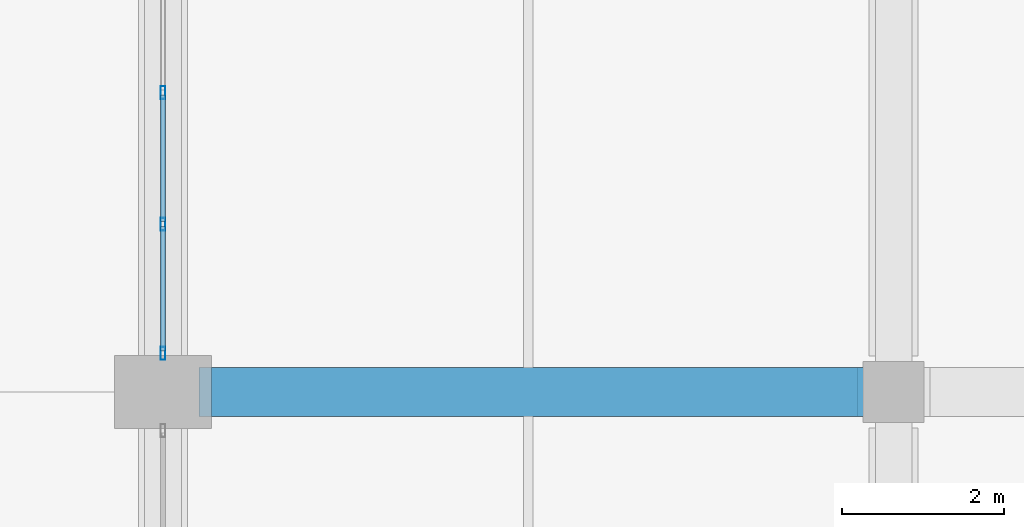
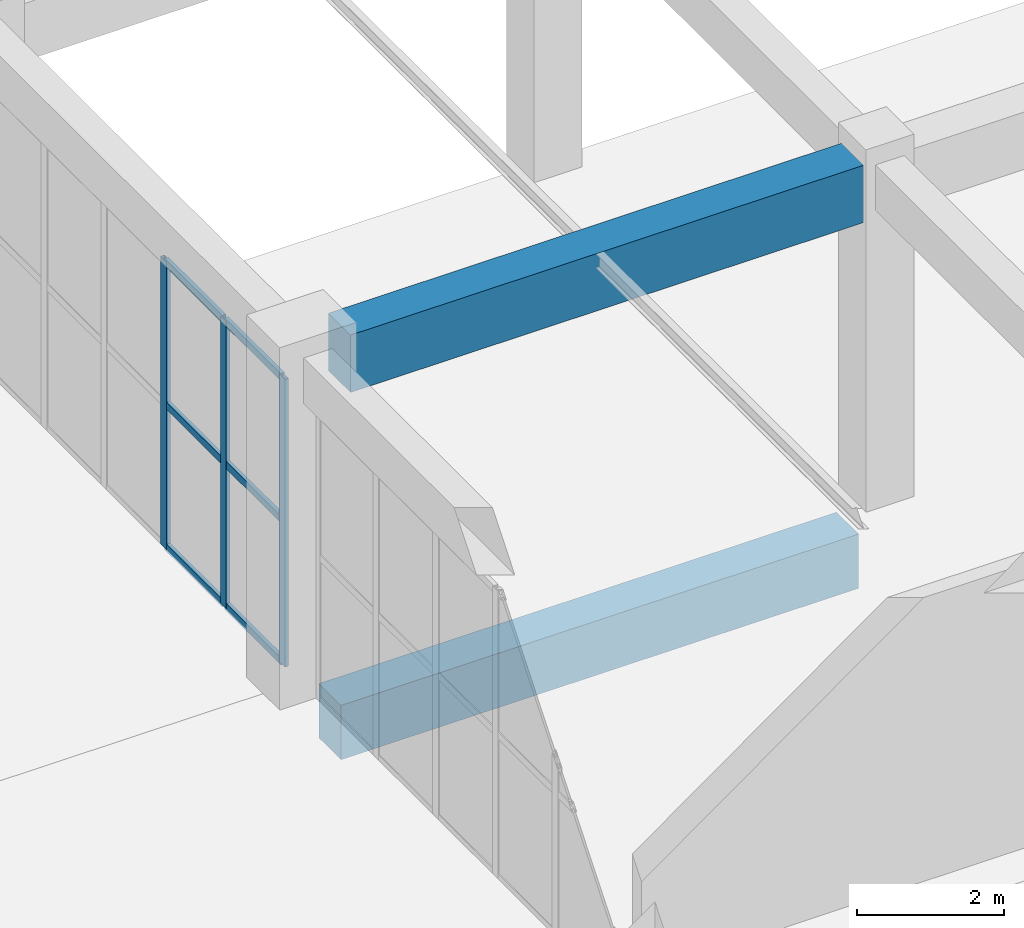
# One storey, part 42 of 91: 9 members, 2 beams, 1 element without a shape of its own.
"""IFC4 building model written with IfcOpenShell, lengths in metres."""

from ifc_helpers import new_model, si_unit, direction, frame, origin, origin_2d, place, context, subcontext, project, spatial, rectangle, hollow_rectangle, extrude, material, layer, layer_set, material_profile, profile_set, type_object, element, aggregate, save


model = new_model("IFC4")

# Units and contexts
model_context = context("Model", 3, precision=1e-05, world=origin(), true_north=direction((0.0, 1.0)))
body_context = subcontext(model_context, "Body", "Model", "MODEL_VIEW")
ifc_project = project(units=[si_unit("LENGTHUNIT", "METRE"), si_unit("AREAUNIT", "SQUARE_METRE"), si_unit("VOLUMEUNIT", "CUBIC_METRE"), si_unit("PLANEANGLEUNIT", "RADIAN"), si_unit("MASSUNIT", "GRAM", prefix="KILO")], contexts=[model_context])

# Site, building, storey
site_placement = place(None, origin())
site = spatial("IfcSite", under=ifc_project, at=site_placement, CompositionType="ELEMENT")
building_placement = place(site_placement, origin())
building = spatial("IfcBuilding", under=site, at=building_placement, Name="Dornveld Trade and Exhibition Forum", CompositionType="ELEMENT")
storey_placement = place(building_placement, origin())
storey = spatial("IfcBuildingStorey", under=building, at=storey_placement, Name="L00", CompositionType="ELEMENT", Elevation=0.0)

# Beams
ifc_material_1 = material(Name="Concrete C40/50", Category="concrete")
ifc_material_profile_1 = material_profile(ifc_material_1, rectangle(XDim=0.60009765625, YDim=0.89990234375, at=origin_2d()), Name="RC-GB 600x900")
ifc_profile_set_1 = profile_set([ifc_material_profile_1], Name="Concrete C40/50")
beam_type_1 = type_object("IfcBeamType", Name="BM-GB-600x900", PredefinedType="BEAM", material=ifc_profile_set_1)
beam_1_placement = place(storey_placement, frame((171.446044921875, 135.0, -0.830078125), z_axis=(1.0, 0.0, 0.0), x_axis=(0.0, 1.0, 0.0)))
element("IfcBeam", 1, at=beam_1_placement, inside=storey, type_object=beam_type_1, Name="L00 X-girder 537", PredefinedType="BEAM", context=body_context, shape_type="SweptSolid", body=[
    extrude(rectangle(XDim=0.60009765625, YDim=0.89990234375, at=origin_2d()), origin(), (0.0, 0.0, 1.0), 8.10791015625),
])
ifc_material_2 = material(Name="Precast concrete C50/60", Category="concrete")
ifc_material_profile_2 = material_profile(ifc_material_2, rectangle(XDim=0.60009765625, YDim=0.949951171875, at=origin_2d()), Name="PC-GIR 600x950")
ifc_profile_set_2 = profile_set([ifc_material_profile_2], Name="Precast concrete C50/60")
beam_type_2 = type_object("IfcBeamType", Name="BM-PC-600x950", PredefinedType="T_BEAM", material=ifc_profile_set_2)
beam_2_placement = place(storey_placement, frame((171.595947265625, 135.0, 5.22509765625), z_axis=(1.0, 0.0, 0.0), x_axis=(0.0, 1.0, 0.0)))
element("IfcBeam", 2, at=beam_2_placement, inside=storey, type_object=beam_type_2, Name="L00 X-girder 969", PredefinedType="T_BEAM", context=body_context, shape_type="SweptSolid", body=[
    extrude(rectangle(XDim=0.60009765625, YDim=0.949951171875, at=origin_2d()), origin(), (0.0, 0.0, 1.0), 8.032958984375),
])

# Curtain wall, members
ifc_material_3 = material(Name="Dark-bronze anodised aluminium and low-E glass", Category="aluminium")
ifc_layer = layer(ifc_material_3, 0.154052734375)
ifc_layer_set = layer_set([ifc_layer], Name="Dark-bronze anodised aluminium and low-E glass")
curtain_wall_type = type_object("IfcCurtainWallType", Name="CW-SYS-04", PredefinedType="USERDEFINED", material=ifc_layer_set)
curtain_wall_placement = place(storey_placement, origin())
curtain_wall = element("IfcCurtainWall", 3, at=curtain_wall_placement, inside=storey, type_object=curtain_wall_type, Name="L00 unitised curtain wall 4", ObjectType="UNITISED_CURTAIN_WALL", PredefinedType="USERDEFINED")
ifc_material_4 = material(Name="Dark-bronze anodised aluminium", Category="aluminium")
ifc_material_profile_3 = material_profile(ifc_material_4, hollow_rectangle(XDim=0.06005859375, YDim=0.159912109375, WallThickness=0.00390625, at=origin_2d()), Name="RHS 160x60x4")
ifc_profile_set_3 = profile_set([ifc_material_profile_3], Name="Dark-bronze anodised aluminium")
member_type_1 = type_object("IfcMemberType", Name="CW-MUL-160", PredefinedType="MULLION", material=ifc_profile_set_3)
member_1_placement = place(storey_placement, frame((171.0, 135.47607421875, -0.00390625), z_axis=(0.0, 0.0, 1.0), x_axis=(-1.0, 0.0, 0.0)))
member_1 = element("IfcMember", 4, at=member_1_placement, type_object=member_type_1, Name="CW-04 mullion 1", PredefinedType="MULLION", context=body_context, shape_type="SweptSolid", body=[
    extrude(hollow_rectangle(XDim=0.06005859375, YDim=0.159912109375, WallThickness=0.00390625, at=origin_2d()), origin(), (0.0, 0.0, 1.0), 4.763916015625),
])
member_2_placement = place(storey_placement, frame((171.0, 137.067626953125, -0.00390625), z_axis=(0.0, 0.0, 1.0), x_axis=(-1.0, 0.0, 0.0)))
member_2 = element("IfcMember", 5, at=member_2_placement, type_object=member_type_1, Name="CW-04 mullion 2", PredefinedType="MULLION", context=body_context, shape_type="SweptSolid", body=[
    extrude(hollow_rectangle(XDim=0.06005859375, YDim=0.159912109375, WallThickness=0.00390625, at=origin_2d()), origin(), (0.0, 0.0, 1.0), 4.763916015625),
])
member_3_placement = place(storey_placement, frame((171.0, 138.689208984375, -0.00390625), z_axis=(0.0, 0.0, 1.0), x_axis=(-1.0, 0.0, 0.0)))
member_3 = element("IfcMember", 6, at=member_3_placement, type_object=member_type_1, Name="CW-04 mullion 3", PredefinedType="MULLION", context=body_context, shape_type="SweptSolid", body=[
    extrude(hollow_rectangle(XDim=0.06005859375, YDim=0.159912109375, WallThickness=0.00390625, at=origin_2d()), origin(), (0.0, 0.0, 1.0), 4.763916015625),
])
ifc_material_5 = material(Name="Dark-bronze anodised aluminium", Category="aluminium")
ifc_material_profile_4 = material_profile(ifc_material_5, hollow_rectangle(XDim=0.06005859375, YDim=0.1201171875, WallThickness=0.00390625, at=origin_2d()), Name="RHS 120x60x4")
ifc_profile_set_4 = profile_set([ifc_material_profile_4], Name="Dark-bronze anodised aluminium")
member_type_2 = type_object("IfcMemberType", Name="CW-TRN-120", PredefinedType="USERDEFINED", material=ifc_profile_set_4)
member_4_placement = place(storey_placement, frame((171.0, 135.506103515625, 0.02587890625), z_axis=(0.0, 1.0, 0.0), x_axis=(-1.0, 0.0, 0.0)))
member_4 = element("IfcMember", 7, at=member_4_placement, type_object=member_type_2, Name="CW-04 transom 1.1", ObjectType="TRANSOM", PredefinedType="USERDEFINED", context=body_context, shape_type="SweptSolid", body=[
    extrude(hollow_rectangle(XDim=0.06005859375, YDim=0.1201171875, WallThickness=0.00390625, at=origin_2d()), origin(), (0.0, 0.0, 1.0), 1.531494140625),
])
member_5_placement = place(storey_placement, frame((171.0, 135.506103515625, 2.3779296875), z_axis=(0.0, 1.0, 0.0), x_axis=(-1.0, 0.0, 0.0)))
member_5 = element("IfcMember", 8, at=member_5_placement, type_object=member_type_2, Name="CW-04 transom 1.2", ObjectType="TRANSOM", PredefinedType="USERDEFINED", context=body_context, shape_type="SweptSolid", body=[
    extrude(hollow_rectangle(XDim=0.06005859375, YDim=0.1201171875, WallThickness=0.00390625, at=origin_2d()), origin(), (0.0, 0.0, 1.0), 1.531494140625),
])
member_6_placement = place(storey_placement, frame((171.0, 135.506103515625, 4.72998046875), z_axis=(0.0, 1.0, 0.0), x_axis=(-1.0, 0.0, 0.0)))
member_6 = element("IfcMember", 9, at=member_6_placement, type_object=member_type_2, Name="CW-04 transom 1.3", ObjectType="TRANSOM", PredefinedType="USERDEFINED", context=body_context, shape_type="SweptSolid", body=[
    extrude(hollow_rectangle(XDim=0.06005859375, YDim=0.1201171875, WallThickness=0.00390625, at=origin_2d()), origin(), (0.0, 0.0, 1.0), 1.531494140625),
])
member_7_placement = place(storey_placement, frame((171.0, 137.09765625, 0.02587890625), z_axis=(0.0, 1.0, 0.0), x_axis=(-1.0, 0.0, 0.0)))
member_7 = element("IfcMember", 10, at=member_7_placement, type_object=member_type_2, Name="CW-04 transom 2.1", ObjectType="TRANSOM", PredefinedType="USERDEFINED", context=body_context, shape_type="SweptSolid", body=[
    extrude(hollow_rectangle(XDim=0.06005859375, YDim=0.1201171875, WallThickness=0.00390625, at=origin_2d()), origin(), (0.0, 0.0, 1.0), 1.5615234375),
])
member_8_placement = place(storey_placement, frame((171.0, 137.09765625, 2.3779296875), z_axis=(0.0, 1.0, 0.0), x_axis=(-1.0, 0.0, 0.0)))
member_8 = element("IfcMember", 11, at=member_8_placement, type_object=member_type_2, Name="CW-04 transom 2.2", ObjectType="TRANSOM", PredefinedType="USERDEFINED", context=body_context, shape_type="SweptSolid", body=[
    extrude(hollow_rectangle(XDim=0.06005859375, YDim=0.1201171875, WallThickness=0.00390625, at=origin_2d()), origin(), (0.0, 0.0, 1.0), 1.5615234375),
])
member_9_placement = place(storey_placement, frame((171.0, 137.09765625, 4.72998046875), z_axis=(0.0, 1.0, 0.0), x_axis=(-1.0, 0.0, 0.0)))
member_9 = element("IfcMember", 12, at=member_9_placement, type_object=member_type_2, Name="CW-04 transom 2.3", ObjectType="TRANSOM", PredefinedType="USERDEFINED", context=body_context, shape_type="SweptSolid", body=[
    extrude(hollow_rectangle(XDim=0.06005859375, YDim=0.1201171875, WallThickness=0.00390625, at=origin_2d()), origin(), (0.0, 0.0, 1.0), 1.5615234375),
])
aggregate(curtain_wall, [member_1, member_2, member_3, member_4, member_5, member_6, member_7, member_8, member_9])

save(model, "model.ifc")
